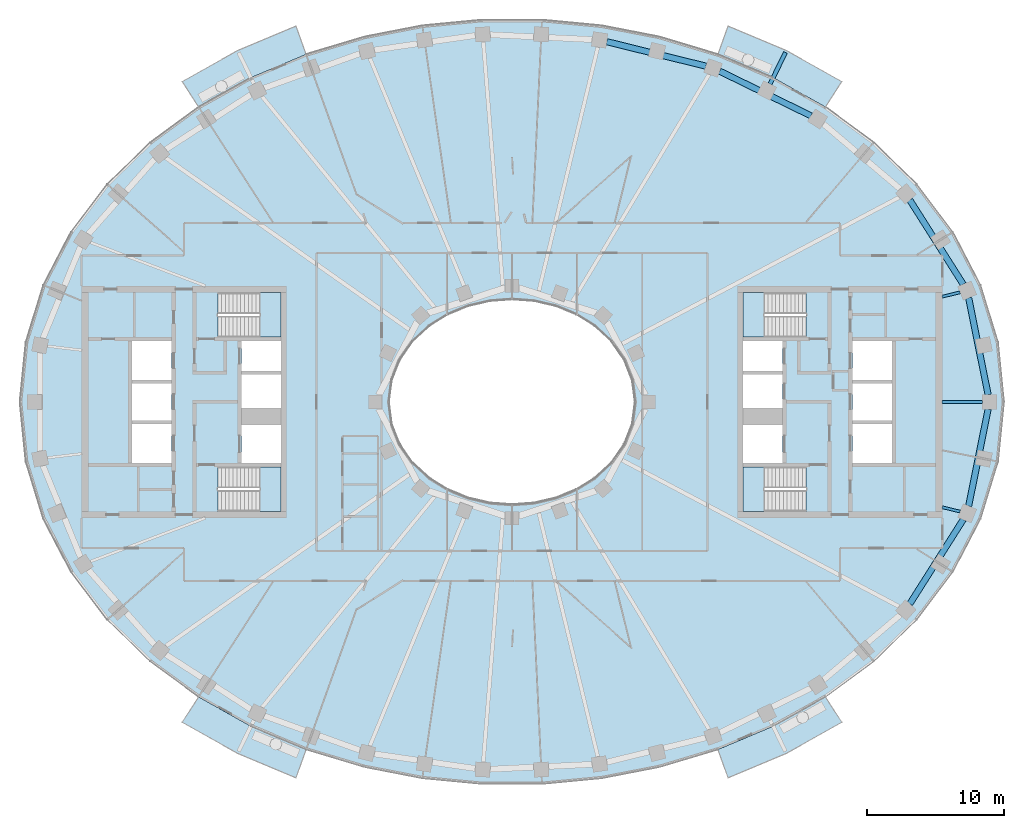
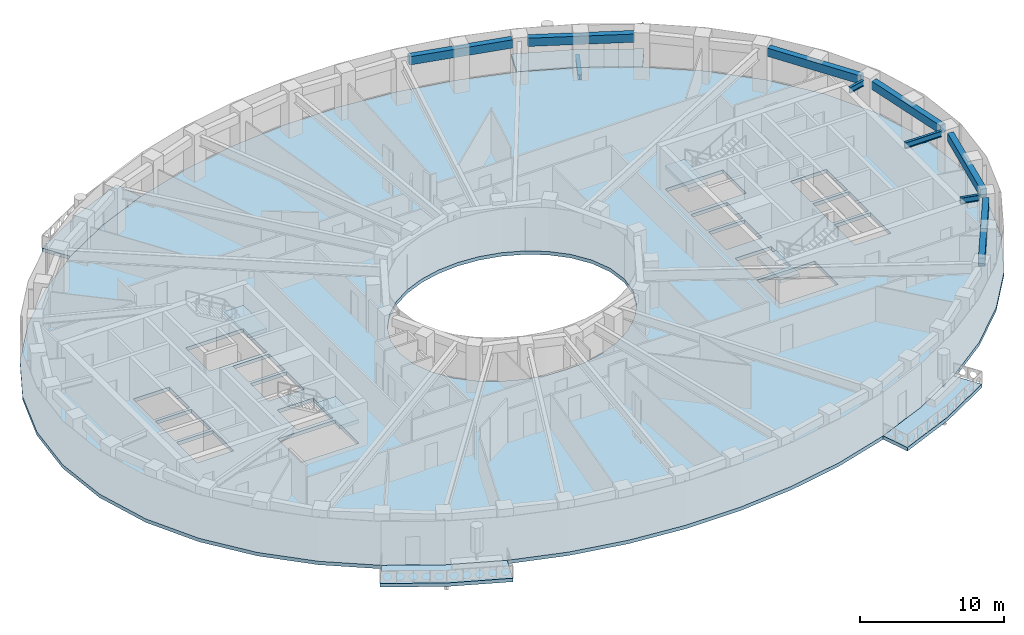
# One storey, part 2 of 15: 10 beams, 9 slabs, 4 elements without a shape of their own.
"""IFC4 building model written with IfcOpenShell, lengths in metres."""

from ifc_helpers import new_model, si_unit, direction, frame, origin, origin_2d, place, context, subcontext, project, spatial, polyline, rectangle, i_section, outline, extrude, material, layer, layer_set, material_profile, profile_set, type_object, element, aggregate, save


model = new_model("IFC4")

# Units and contexts
model_context = context("Model", 3, precision=1e-05, world=origin(), true_north=direction((0.0, 1.0)))
body_context = subcontext(model_context, "Body", "Model", "MODEL_VIEW")
ifc_project = project(units=[si_unit("LENGTHUNIT", "METRE"), si_unit("AREAUNIT", "SQUARE_METRE"), si_unit("VOLUMEUNIT", "CUBIC_METRE"), si_unit("PLANEANGLEUNIT", "RADIAN"), si_unit("MASSUNIT", "GRAM", prefix="KILO")], contexts=[model_context])

# Site, building, storey
site_placement = place(None, origin())
site = spatial("IfcSite", under=ifc_project, at=site_placement, CompositionType="ELEMENT")
building_placement = place(site_placement, origin())
building = spatial("IfcBuilding", under=site, at=building_placement, Name="Noorbagh Ring Tower", CompositionType="ELEMENT")
storey_placement = place(building_placement, frame((0.0, 0.0, 241.5)))
storey = spatial("IfcBuildingStorey", under=building, at=storey_placement, Name="L50", CompositionType="ELEMENT", Elevation=241.5)

# Beams
ifc_material_1 = material(Name="Steel S355", Category="steel")
ifc_material_profile_1 = material_profile(ifc_material_1, i_section(OverallWidth=0.300048828125, OverallDepth=0.39990234375, WebThickness=0.013427734375, FlangeThickness=0.02392578125, FilletRadius=0.027099609375, at=origin_2d()), Name="HEB400")
ifc_profile_set_1 = profile_set([ifc_material_profile_1], Name="Steel S355")
beam_type_1 = type_object("IfcBeamType", Name="STR-BALCONY-BRACKET-HEB400", PredefinedType="BEAM", material=ifc_profile_set_1)
beam_1_placement = place(storey_placement, frame((18.879150390625, 23.261474609375, -0.5), z_axis=(0.439232236699, 0.898373553843, 0.0), x_axis=(-0.898373553843, 0.439232236699, 0.0)))
element("IfcBeam", 1, at=beam_1_placement, inside=storey, type_object=beam_type_1, Name="Balcony bracket beam BN02", PredefinedType="BEAM", context=body_context, shape_type="SweptSolid", body=[
    extrude(i_section(OverallWidth=0.300048828125, OverallDepth=0.39990234375, WebThickness=0.013427734375, FlangeThickness=0.02392578125, FilletRadius=0.027099609375, at=origin_2d()), origin(), (0.0, 0.0, 1.0), 2.5751953125),
])
ifc_material_2 = material(Name="Steel S355", Category="steel")
ifc_material_profile_2 = material_profile(ifc_material_2, i_section(OverallWidth=0.199951171875, OverallDepth=0.5, WebThickness=0.01025390625, FlangeThickness=0.01611328125, FilletRadius=0.02099609375, at=origin_2d()), Name="IPE500")
ifc_profile_set_2 = profile_set([ifc_material_profile_2], Name="Steel S355")
beam_type_2 = type_object("IfcBeamType", Name="STR-RAD-IPE500", PredefinedType="BEAM", material=ifc_profile_set_2)
beam_2_placement = place(storey_placement, frame((34.414794921875, 0.0, 3.449951171875), z_axis=(-1.0, 0.0, 0.0), x_axis=(0.0, -1.0, 0.0)))
element("IfcBeam", 2, at=beam_2_placement, inside=storey, type_object=beam_type_2, Name="L50/bm/RD01", PredefinedType="BEAM", context=body_context, shape_type="SweptSolid", body=[
    extrude(i_section(OverallWidth=0.199951171875, OverallDepth=0.5, WebThickness=0.01025390625, FlangeThickness=0.01611328125, FilletRadius=0.02099609375, at=origin_2d()), origin(), (0.0, 0.0, 1.0), 2.934814453125),
])
for number, where, z_axis, x_axis, name in (
    (3, (32.784423828125, 8.02197265625, 3.449951171875), (-0.971339314725, -0.23769715116, 0.0), (0.23769715116, -0.971339314725, 0.0), "L50/bm/RD03"),
    (4, (32.784423828125, -8.02197265625, 3.449951171875), (-0.971339314725, 0.23769715116, 0.0), (-0.23769715116, -0.971339314725, 0.0), "L50/bm/RD45"),
):
    element("IfcBeam", number, at=place(storey_placement, frame(where, z_axis=z_axis, x_axis=x_axis)), inside=storey, type_object=beam_type_2, Name=name, PredefinedType="BEAM", context=body_context, shape_type="SweptSolid", body=[
        extrude(i_section(OverallWidth=0.199951171875, OverallDepth=0.5, WebThickness=0.01025390625, FlangeThickness=0.01611328125, FilletRadius=0.02099609375, at=origin_2d()), origin(), (0.0, 0.0, 1.0), 1.342529296875),
    ])
ifc_material_3 = material(Name="Concrete C40/50", Category="concrete")
ifc_material_profile_3 = material_profile(ifc_material_3, rectangle(XDim=0.449951171875, YDim=0.699951171875, at=origin_2d()), Name="RC450x700")
ifc_profile_set_3 = profile_set([ifc_material_profile_3], Name="Concrete C40/50")
beam_type_3 = type_object("IfcBeamType", Name="STR-SB-RC450x700-C40-50", PredefinedType="BEAM", material=ifc_profile_set_3)
beam_3_placement = place(storey_placement, frame((34.837890625, 0.5302734375, 3.35009765625), z_axis=(-0.197226195613, 0.980358009996, 0.0), x_axis=(-0.980358009996, -0.197226195613, 0.0)))
element("IfcBeam", 5, at=beam_3_placement, inside=storey, type_object=beam_type_3, Name="L50/bm/SP01", PredefinedType="BEAM", context=body_context, shape_type="SweptSolid", body=[
    extrude(rectangle(XDim=0.449951171875, YDim=0.699951171875, at=origin_2d()), origin(), (0.0, 0.0, 1.0), 7.231689453125),
])
beam_4_placement = place(storey_placement, frame((33.016845703125, 8.604248046875, 3.35009765625), z_axis=(-0.535181639591, 0.844737007977, 0.0), x_axis=(-0.844737007977, -0.535181639591, 0.0)))
element("IfcBeam", 6, at=beam_4_placement, inside=storey, type_object=beam_type_3, Name="L50/bm/SP03", PredefinedType="BEAM", context=body_context, shape_type="SweptSolid", body=[
    extrude(rectangle(XDim=0.449951171875, YDim=0.699951171875, at=origin_2d()), origin(), (0.0, 0.0, 1.0), 7.30712890625),
])
beam_5_placement = place(storey_placement, frame((21.88232421875, 20.934326171875, 3.35009765625), z_axis=(-0.898395566206, 0.43918721136, 0.0), x_axis=(-0.43918721136, -0.898395566206, 0.0)))
element("IfcBeam", 7, at=beam_5_placement, inside=storey, type_object=beam_type_3, Name="L50/bm/SP07", PredefinedType="BEAM", context=body_context, shape_type="SweptSolid", body=[
    extrude(rectangle(XDim=0.449951171875, YDim=0.699951171875, at=origin_2d()), origin(), (0.0, 0.0, 1.0), 7.45068359375),
])
beam_6_placement = place(storey_placement, frame((14.192138671875, 24.568603515625, 3.35009765625), z_axis=(-0.970829382675, 0.239771369713, 0.0), x_axis=(-0.239771369713, -0.970829382675, 0.0)))
element("IfcBeam", 8, at=beam_6_placement, inside=storey, type_object=beam_type_3, Name="L50/bm/SP09", PredefinedType="BEAM", context=body_context, shape_type="SweptSolid", body=[
    extrude(rectangle(XDim=0.449951171875, YDim=0.699951171875, at=origin_2d()), origin(), (0.0, 0.0, 1.0), 7.48388671875),
])
beam_7_placement = place(storey_placement, frame((29.106201171875, -14.77685546875, 3.35009765625), z_axis=(0.535181639591, 0.844737007977, 0.0), x_axis=(-0.844737007977, 0.535181639591, 0.0)))
element("IfcBeam", 9, at=beam_7_placement, inside=storey, type_object=beam_type_3, Name="L50/bm/SP43", PredefinedType="BEAM", context=body_context, shape_type="SweptSolid", body=[
    extrude(rectangle(XDim=0.449951171875, YDim=0.699951171875, at=origin_2d()), origin(), (0.0, 0.0, 1.0), 7.30712890625),
])
beam_8_placement = place(storey_placement, frame((33.41162109375, -7.619873046875, 3.35009765625), z_axis=(0.197226195613, 0.980358009996, 0.0), x_axis=(-0.980358009996, 0.197226195613, 0.0)))
element("IfcBeam", 10, at=beam_8_placement, inside=storey, type_object=beam_type_3, Name="L50/bm/SP45", PredefinedType="BEAM", context=body_context, shape_type="SweptSolid", body=[
    extrude(rectangle(XDim=0.449951171875, YDim=0.699951171875, at=origin_2d()), origin(), (0.0, 0.0, 1.0), 7.231689453125),
])

# Stair, slab
ifc_material_4 = material(Name="Concrete C40/50", Category="concrete")
stair_type = type_object("IfcStairType", Name="CORE-STAIR", PredefinedType="HALF_TURN_STAIR", material=ifc_material_4)
stair_1_placement = place(storey_placement, origin())
stair_1 = element("IfcStair", 11, at=stair_1_placement, inside=storey, type_object=stair_type, Name="L50 Exit stair ST1", PredefinedType="HALF_TURN_STAIR")
ifc_material_5 = material(Name="Concrete C40/50", Category="concrete")
ifc_layer_1 = layer(ifc_material_5, 0.300048828125)
ifc_layer_set_1 = layer_set([ifc_layer_1], Name="Concrete C40/50")
slab_type_1 = type_object("IfcSlabType", Name="CORE-STAIR-LANDING", PredefinedType="LANDING", material=ifc_layer_set_1)
slab_1_placement = place(storey_placement, frame((0.0, 0.0, 1.699951171875)))
slab_1 = element("IfcSlab", 12, at=slab_1_placement, type_object=slab_type_1, Name="ST1 landing 1", PredefinedType="LANDING", context=body_context, shape_type="SweptSolid", body=[
    extrude(outline(polyline([(-18.449951171875, 4.75), (-16.89990234375, 4.75), (-16.89990234375, 8.0), (-18.449951171875, 8.0), (-18.449951171875, 4.75)])), origin(), (0.0, 0.0, 1.0), 0.300048828125),
])
aggregate(stair_1, [slab_1])

stair_2_placement = place(storey_placement, origin())
stair_2 = element("IfcStair", 13, at=stair_2_placement, inside=storey, type_object=stair_type, Name="L50 Exit stair ST2", PredefinedType="HALF_TURN_STAIR")
slab_2_placement = place(storey_placement, frame((0.0, 0.0, 1.699951171875)))
slab_2 = element("IfcSlab", 14, at=slab_2_placement, type_object=slab_type_1, Name="ST2 landing 1", PredefinedType="LANDING", context=body_context, shape_type="SweptSolid", body=[
    extrude(outline(polyline([(-18.449951171875, -8.0), (-16.89990234375, -8.0), (-16.89990234375, -4.75), (-18.449951171875, -4.75), (-18.449951171875, -8.0)])), origin(), (0.0, 0.0, 1.0), 0.300048828125),
])
aggregate(stair_2, [slab_2])

stair_3_placement = place(storey_placement, origin())
stair_3 = element("IfcStair", 15, at=stair_3_placement, inside=storey, type_object=stair_type, Name="L50 Exit stair ST3", PredefinedType="HALF_TURN_STAIR")
slab_3_placement = place(storey_placement, frame((0.0, 0.0, 1.699951171875)))
slab_3 = element("IfcSlab", 16, at=slab_3_placement, type_object=slab_type_1, Name="ST3 landing 1", PredefinedType="LANDING", context=body_context, shape_type="SweptSolid", body=[
    extrude(outline(polyline([(18.449951171875, 8.0), (16.89990234375, 8.0), (16.89990234375, 4.75), (18.449951171875, 4.75), (18.449951171875, 8.0)])), origin(), (0.0, 0.0, 1.0), 0.300048828125),
])
aggregate(stair_3, [slab_3])

stair_4_placement = place(storey_placement, origin())
stair_4 = element("IfcStair", 17, at=stair_4_placement, inside=storey, type_object=stair_type, Name="L50 Exit stair ST4", PredefinedType="HALF_TURN_STAIR")
slab_4_placement = place(storey_placement, frame((0.0, 0.0, 1.699951171875)))
slab_4 = element("IfcSlab", 18, at=slab_4_placement, type_object=slab_type_1, Name="ST4 landing 1", PredefinedType="LANDING", context=body_context, shape_type="SweptSolid", body=[
    extrude(outline(polyline([(18.449951171875, -4.75), (16.89990234375, -4.75), (16.89990234375, -8.0), (18.449951171875, -8.0), (18.449951171875, -4.75)])), origin(), (0.0, 0.0, 1.0), 0.300048828125),
])
aggregate(stair_4, [slab_4])

# Slabs
ifc_material_6 = material(Name="Concrete C40/50", Category="concrete")
ifc_layer_2 = layer(ifc_material_6, 0.300048828125)
ifc_layer_set_2 = layer_set([ifc_layer_2], Name="Concrete C40/50")
slab_type_2 = type_object("IfcSlabType", Name="ENV-BALCONY DECK 300", PredefinedType="FLOOR", material=ifc_layer_set_2)
slab_5_placement = place(storey_placement, frame((0.0, 0.0, -0.300048828125)))
element("IfcSlab", 19, at=slab_5_placement, inside=storey, type_object=slab_type_2, Name="Tree balcony deck BN02", PredefinedType="FLOOR", context=body_context, shape_type="SweptSolid", body=[
    extrude(outline(polyline([(24.1279296875, 23.435791015625), (20.076171875, 25.709716796875), (15.810791015625, 27.50341796875), (15.0654296875, 25.430419921875), (19.108154296875, 23.730224609375), (22.9326171875, 21.583740234375), (24.1279296875, 23.435791015625)])), origin(), (0.0, 0.0, 1.0), 0.300048828125),
])
slab_6_placement = place(storey_placement, frame((0.0, 0.0, -0.300048828125)))
element("IfcSlab", 20, at=slab_6_placement, inside=storey, type_object=slab_type_2, Name="Tree balcony deck BN05", PredefinedType="FLOOR", context=body_context, shape_type="SweptSolid", body=[
    extrude(outline(polyline([(-15.810791015625, 27.50341796875), (-20.076171875, 25.709716796875), (-24.1279296875, 23.435791015625), (-22.9326171875, 21.583740234375), (-19.108154296875, 23.730224609375), (-15.0654296875, 25.430419921875), (-15.810791015625, 27.50341796875)])), origin(), (0.0, 0.0, 1.0), 0.300048828125),
])
slab_7_placement = place(storey_placement, frame((0.0, 0.0, -0.300048828125)))
element("IfcSlab", 21, at=slab_7_placement, inside=storey, type_object=slab_type_2, Name="Tree balcony deck BS02", PredefinedType="FLOOR", context=body_context, shape_type="SweptSolid", body=[
    extrude(outline(polyline([(-24.1279296875, -23.435791015625), (-20.076171875, -25.709716796875), (-15.810791015625, -27.50341796875), (-15.0654296875, -25.430419921875), (-19.108154296875, -23.730224609375), (-22.9326171875, -21.583740234375), (-24.1279296875, -23.435791015625)])), origin(), (0.0, 0.0, 1.0), 0.300048828125),
])
slab_8_placement = place(storey_placement, frame((0.0, 0.0, -0.300048828125)))
element("IfcSlab", 22, at=slab_8_placement, inside=storey, type_object=slab_type_2, Name="Tree balcony deck BS05", PredefinedType="FLOOR", context=body_context, shape_type="SweptSolid", body=[
    extrude(outline(polyline([(15.810791015625, -27.50341796875), (20.076171875, -25.709716796875), (24.1279296875, -23.435791015625), (22.9326171875, -21.583740234375), (19.108154296875, -23.730224609375), (15.0654296875, -25.430419921875), (15.810791015625, -27.50341796875)])), origin(), (0.0, 0.0, 1.0), 0.300048828125),
])
ifc_material_7 = material(Name="Concrete C40/50", Category="concrete")
ifc_layer_3 = layer(ifc_material_7, 0.300048828125)
ifc_layer_set_3 = layer_set([ifc_layer_3], Name="Concrete C40/50")
slab_type_3 = type_object("IfcSlabType", Name="STR-FLOOR-DECK-300", PredefinedType="FLOOR", material=ifc_layer_set_3)
slab_9_placement = place(storey_placement, frame((0.0, 0.0, -0.300048828125)))
element("IfcSlab", 23, at=slab_9_placement, inside=storey, type_object=slab_type_3, Name="L50/slab/1", PredefinedType="FLOOR", context=body_context, shape_type="SweptSolid", body=[
    extrude(outline(polyline([(36.0, 0.0), (35.56103515625, 4.358642578125), (34.281005859375, 8.548828125), (32.255126953125, 12.434814453125), (29.607666015625, 15.92822265625), (26.463134765625, 18.983154296875), (22.9326171875, 21.583740234375), (19.108154296875, 23.730224609375), (15.0654296875, 25.430419921875), (10.865234375, 26.6943359375), (6.5595703125, 27.53125), (2.193115234375, 27.947998046875), (-2.193115234375, 27.947998046875), (-6.5595703125, 27.53125), (-10.865234375, 26.6943359375), (-15.0654296875, 25.430419921875), (-19.108154296875, 23.730224609375), (-22.9326171875, 21.583740234375), (-26.463134765625, 18.983154296875), (-29.607666015625, 15.92822265625), (-32.255126953125, 12.434814453125), (-34.281005859375, 8.548828125), (-35.56103515625, 4.358642578125), (-36.0, 0.0), (-35.56103515625, -4.358642578125), (-34.281005859375, -8.548828125), (-32.255126953125, -12.434814453125), (-29.607666015625, -15.92822265625), (-26.463134765625, -18.983154296875), (-22.9326171875, -21.583740234375), (-19.108154296875, -23.730224609375), (-15.0654296875, -25.430419921875), (-10.865234375, -26.6943359375), (-6.5595703125, -27.53125), (-2.193115234375, -27.947998046875), (2.193115234375, -27.947998046875), (6.5595703125, -27.53125), (10.865234375, -26.6943359375), (15.0654296875, -25.430419921875), (19.108154296875, -23.730224609375), (22.9326171875, -21.583740234375), (26.463134765625, -18.983154296875), (29.607666015625, -15.92822265625), (32.255126953125, -12.434814453125), (34.281005859375, -8.548828125), (35.56103515625, -4.358642578125), (36.0, 0.0)]), holes=[polyline([(24.89990234375, 4.449951171875), (27.800048828125, 4.449951171875), (27.800048828125, 1.60009765625), (24.89990234375, 1.60009765625), (24.89990234375, 4.449951171875)]), polyline([(24.89990234375, 1.35009765625), (27.800048828125, 1.35009765625), (27.800048828125, -1.35009765625), (24.89990234375, -1.35009765625), (24.89990234375, 1.35009765625)]), polyline([(24.89990234375, -1.60009765625), (27.800048828125, -1.60009765625), (27.800048828125, -4.449951171875), (24.89990234375, -4.449951171875), (24.89990234375, -1.60009765625)]), polyline([(21.529541015625, -8.0), (16.89990234375, -8.0), (16.89990234375, -4.75), (21.529541015625, -4.75), (21.529541015625, -8.0)]), polyline([(16.89990234375, 4.75), (16.89990234375, 8.0), (21.529541015625, 8.0), (21.529541015625, 4.75), (16.89990234375, 4.75)]), polyline([(19.800048828125, 4.449951171875), (19.800048828125, 2.25), (16.89990234375, 2.25), (16.89990234375, 4.449951171875), (19.800048828125, 4.449951171875)]), polyline([(16.89990234375, 2.0), (19.800048828125, 2.0), (19.800048828125, -0.449951171875), (16.89990234375, -0.449951171875), (16.89990234375, 2.0)]), polyline([(16.89990234375, -1.699951171875), (19.800048828125, -1.699951171875), (19.800048828125, -4.449951171875), (16.89990234375, -4.449951171875), (16.89990234375, -1.699951171875)]), polyline([(4.697509765625, -6.3974609375), (3.196533203125, -7.010986328125), (1.6171875, -7.3779296875), (0.0, -7.5), (-1.6171875, -7.3779296875), (-3.196533203125, -7.010986328125), (-4.697509765625, -6.3974609375), (-6.071044921875, -5.53662109375), (-7.2587890625, -4.43408203125), (-8.1904296875, -3.10888671875), (-8.79150390625, -1.605224609375), (-9.0, 0.0), (-8.79150390625, 1.605224609375), (-8.1904296875, 3.10888671875), (-7.2587890625, 4.43408203125), (-6.071044921875, 5.53662109375), (-4.697509765625, 6.3974609375), (-3.196533203125, 7.010986328125), (-1.6171875, 7.3779296875), (0.0, 7.5), (1.6171875, 7.3779296875), (3.196533203125, 7.010986328125), (4.697509765625, 6.3974609375), (6.071044921875, 5.53662109375), (7.2587890625, 4.43408203125), (8.1904296875, 3.10888671875), (8.79150390625, 1.605224609375), (9.0, 0.0), (8.79150390625, -1.605224609375), (8.1904296875, -3.10888671875), (7.2587890625, -4.43408203125), (6.071044921875, -5.53662109375), (4.697509765625, -6.3974609375)]), polyline([(-16.89990234375, 2.25), (-19.800048828125, 2.25), (-19.800048828125, 4.449951171875), (-16.89990234375, 4.449951171875), (-16.89990234375, 2.25)]), polyline([(-16.89990234375, -0.449951171875), (-19.800048828125, -0.449951171875), (-19.800048828125, 2.0), (-16.89990234375, 2.0), (-16.89990234375, -0.449951171875)]), polyline([(-16.89990234375, -4.449951171875), (-19.800048828125, -4.449951171875), (-19.800048828125, -1.699951171875), (-16.89990234375, -1.699951171875), (-16.89990234375, -4.449951171875)]), polyline([(-21.529541015625, 8.0), (-16.89990234375, 8.0), (-16.89990234375, 4.75), (-21.529541015625, 4.75), (-21.529541015625, 8.0)]), polyline([(-21.529541015625, -4.75), (-16.89990234375, -4.75), (-16.89990234375, -8.0), (-21.529541015625, -8.0), (-21.529541015625, -4.75)]), polyline([(-24.89990234375, -4.449951171875), (-27.800048828125, -4.449951171875), (-27.800048828125, -1.60009765625), (-24.89990234375, -1.60009765625), (-24.89990234375, -4.449951171875)]), polyline([(-24.89990234375, 1.60009765625), (-27.800048828125, 1.60009765625), (-27.800048828125, 4.449951171875), (-24.89990234375, 4.449951171875), (-24.89990234375, 1.60009765625)]), polyline([(-24.89990234375, -1.35009765625), (-27.800048828125, -1.35009765625), (-27.800048828125, 1.35009765625), (-24.89990234375, 1.35009765625), (-24.89990234375, -1.35009765625)])]), origin(), (0.0, 0.0, 1.0), 0.300048828125),
])

save(model, "model.ifc")
